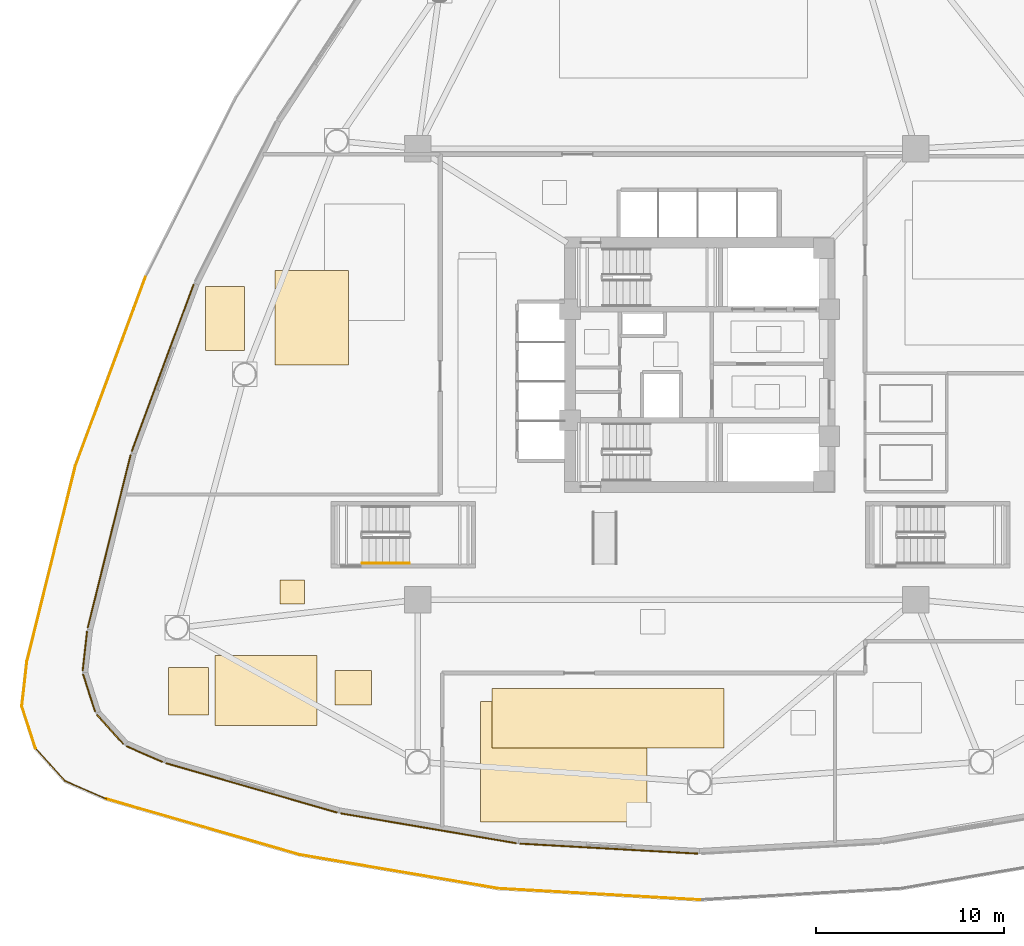
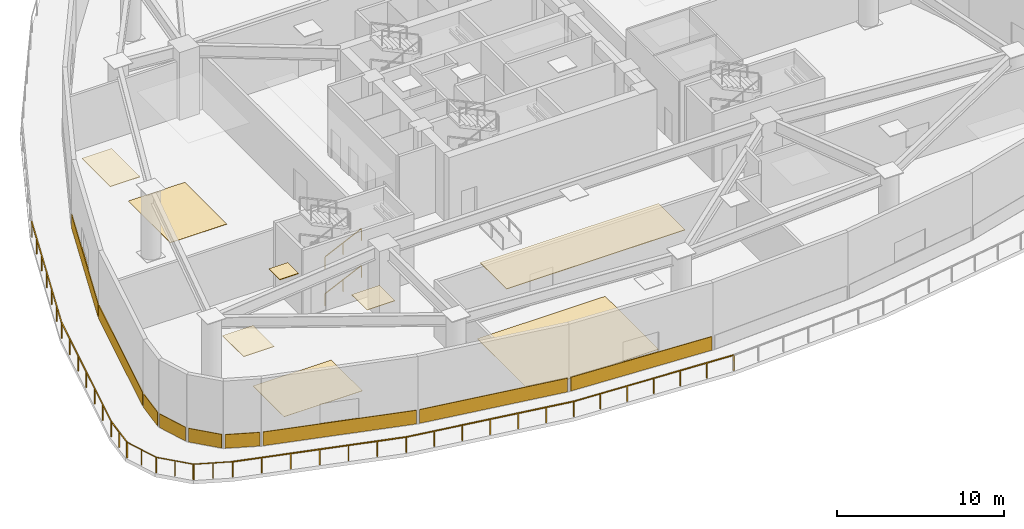
# One storey, part 7 of 13: 17 coverings, 11 railings.
"""IFC4 building model written with IfcOpenShell, lengths in metres."""

from ifc_helpers import new_model, si_unit, direction, frame, origin, origin_2d, place, context, subcontext, project, spatial, polyline, rectangle, outline, extrude, material, layer, layer_set, type_object, element, save


model = new_model("IFC4")

# Units and contexts
model_context = context("Model", 3, precision=1e-05, world=origin(), true_north=direction((0.0, 1.0)))
body_context = subcontext(model_context, "Body", "Model", "MODEL_VIEW")
ifc_project = project(units=[si_unit("LENGTHUNIT", "METRE"), si_unit("AREAUNIT", "SQUARE_METRE"), si_unit("VOLUMEUNIT", "CUBIC_METRE"), si_unit("PLANEANGLEUNIT", "RADIAN"), si_unit("MASSUNIT", "GRAM", prefix="KILO")], contexts=[model_context])

# Site, building, storey
site_placement = place(None, origin())
site = spatial("IfcSite", under=ifc_project, at=site_placement, CompositionType="ELEMENT")
building_placement = place(site_placement, origin())
building = spatial("IfcBuilding", under=site, at=building_placement, Name="Tavelor Broadcast Tower", CompositionType="ELEMENT")
storey_placement = place(building_placement, frame((0.0, 0.0, 16.800048828125)))
storey = spatial("IfcBuildingStorey", under=building, at=storey_placement, Name="L03", CompositionType="ELEMENT", Elevation=16.800048828125)

# Railings
ifc_material_1 = material(Name="Steel S355", Category="steel")
railing_type_1 = type_object("IfcRailingType", Name="Continuous Brushed Stainless Handrail 900 mm", PredefinedType="HANDRAIL", material=ifc_material_1)
railing_1_placement = place(storey_placement, frame((32.050048828125, 34.449951171875, 0.168701171875)))
element("IfcRailing", 1, at=railing_1_placement, inside=storey, type_object=railing_type_1, Name="L03 ST3 stair handrail 1", PredefinedType="HANDRAIL", context=body_context, shape_type="SweptSolid", body=[
    extrude(rectangle(XDim=0.048095703125, YDim=0.048095703125, at=origin_2d()), frame((0.0, 0.0, 0.8759765625), z_axis=(0.905473684625, 0.0, 0.424402410988), x_axis=(0.0, 1.0, 0.0)), (0.0, 0.0, 1.0), 2.783203125),
    extrude(rectangle(XDim=0.0419921875, YDim=0.0419921875, at=origin_2d()), origin(), (0.0, 0.0, 1.0), 0.851806640625),
    extrude(rectangle(XDim=0.0419921875, YDim=0.0419921875, at=origin_2d()), frame((1.260009765625, 0.0, 0.590576171875)), (0.0, 0.0, 1.0), 0.851806640625),
    extrude(rectangle(XDim=0.0419921875, YDim=0.0419921875, at=origin_2d()), frame((2.52001953125, 0.0, 1.18115234375)), (0.0, 0.0, 1.0), 0.851806640625),
])
railing_2_placement = place(storey_placement, frame((32.050048828125, 34.449951171875, 2.86865234375)))
element("IfcRailing", 2, at=railing_2_placement, inside=storey, type_object=railing_type_1, Name="L03 ST3 stair handrail 3", PredefinedType="HANDRAIL", context=body_context, shape_type="SweptSolid", body=[
    extrude(rectangle(XDim=0.048095703125, YDim=0.048095703125, at=origin_2d()), frame((0.0, 0.0, 0.8759765625), z_axis=(0.905439972488, 0.0, 0.424474329284), x_axis=(0.0, 1.0, 0.0)), (0.0, 0.0, 1.0), 2.783203125),
    extrude(rectangle(XDim=0.0419921875, YDim=0.0419921875, at=origin_2d()), origin(), (0.0, 0.0, 1.0), 0.851806640625),
    extrude(rectangle(XDim=0.0419921875, YDim=0.0419921875, at=origin_2d()), frame((1.260009765625, 0.0, 0.5908203125)), (0.0, 0.0, 1.0), 0.851806640625),
    extrude(rectangle(XDim=0.0419921875, YDim=0.0419921875, at=origin_2d()), frame((2.52001953125, 0.0, 1.181396484375)), (0.0, 0.0, 1.0), 0.851806640625),
])

# Coverings
ifc_material_2 = material(Name="Acoustic Nylon Carpet Tile")
ifc_layer_1 = layer(ifc_material_2, 0.02001953125)
ifc_layer_set_1 = layer_set([ifc_layer_1], Name="Acoustic Nylon Carpet Tile")
covering_type_1 = type_object("IfcCoveringType", Name="Heavy-Duty Acoustic Broadcast Carpet Tile 20 mm", PredefinedType="FLOORING", material=ifc_layer_set_1)
covering_1_placement = place(storey_placement, origin())
element("IfcCovering", 3, at=covering_1_placement, inside=storey, type_object=covering_type_1, Name="L03 Broadcast Floor Finish 0036", PredefinedType="FLOORING", context=body_context, shape_type="SweptSolid", body=[
    extrude(outline(polyline([(38.3447265625, 20.682861328125), (47.204833984375, 20.682861328125), (47.204833984375, 27.08349609375), (38.3447265625, 27.08349609375), (38.3447265625, 20.682861328125)])), origin(), (0.0, 0.0, 1.0), 0.02001953125),
])
covering_2_placement = place(storey_placement, origin())
element("IfcCovering", 4, at=covering_2_placement, inside=storey, type_object=covering_type_1, Name="L03 Broadcast Floor Finish 0037", PredefinedType="FLOORING", context=body_context, shape_type="SweptSolid", body=[
    extrude(outline(polyline([(24.223388671875, 25.80126953125), (29.6484375, 25.80126953125), (29.6484375, 29.529052734375), (24.223388671875, 29.529052734375), (24.223388671875, 25.80126953125)])), origin(), (0.0, 0.0, 1.0), 0.02001953125),
])
covering_3_placement = place(storey_placement, origin())
element("IfcCovering", 5, at=covering_3_placement, inside=storey, type_object=covering_type_1, Name="L03 Broadcast Floor Finish 0040", PredefinedType="FLOORING", context=body_context, shape_type="SweptSolid", body=[
    extrude(outline(polyline([(27.416259765625, 44.974609375), (31.330810546875, 44.974609375), (31.330810546875, 50.01611328125), (27.416259765625, 50.01611328125), (27.416259765625, 44.974609375)])), origin(), (0.0, 0.0, 1.0), 0.02001953125),
])

# Railings
railing_type_2 = type_object("IfcRailingType", Name="Planted Terrace Laminated Glass Balustrade 1150 mm", PredefinedType="BALUSTRADE", material=ifc_material_1)
railing_3_placement = place(storey_placement, frame((20.522216796875, 49.664306640625, 0.0)))
element("IfcRailing", 6, at=railing_3_placement, inside=storey, type_object=railing_type_2, Name="L03 Cascading Garden Terrace 1 Balustrade #72", PredefinedType="BALUSTRADE", context=body_context, shape_type="SweptSolid", body=[
    extrude(rectangle(XDim=0.048095703125, YDim=0.048095703125, at=origin_2d()), frame((0.0, 0.0, 1.1259765625), z_axis=(-0.34779585795, -0.937570286002, 0.0), x_axis=(0.937570286002, -0.34779585795, 0.0)), (0.0, 0.0, 1.0), 10.733154296875),
    extrude(rectangle(XDim=0.0419921875, YDim=0.0419921875, at=origin_2d()), origin(), (0.0, 0.0, 1.0), 1.101806640625),
    extrude(rectangle(XDim=0.0419921875, YDim=0.0419921875, at=origin_2d()), frame((-0.6220703125, -1.67724609375, 0.0)), (0.0, 0.0, 1.0), 1.101806640625),
    extrude(rectangle(XDim=0.0419921875, YDim=0.0419921875, at=origin_2d()), frame((-1.244384765625, -3.354248046875, 0.0)), (0.0, 0.0, 1.0), 1.101806640625),
    extrude(rectangle(XDim=0.0419921875, YDim=0.0419921875, at=origin_2d()), frame((-1.866455078125, -5.031494140625, 0.0)), (0.0, 0.0, 1.0), 1.101806640625),
    extrude(rectangle(XDim=0.0419921875, YDim=0.0419921875, at=origin_2d()), frame((-2.488525390625, -6.708740234375, 0.0)), (0.0, 0.0, 1.0), 1.101806640625),
    extrude(rectangle(XDim=0.0419921875, YDim=0.0419921875, at=origin_2d()), frame((-3.11083984375, -8.3857421875, 0.0)), (0.0, 0.0, 1.0), 1.101806640625),
    extrude(rectangle(XDim=0.0419921875, YDim=0.0419921875, at=origin_2d()), frame((-3.73291015625, -10.06298828125, 0.0)), (0.0, 0.0, 1.0), 1.101806640625),
])
railing_4_placement = place(storey_placement, frame((16.792724609375, 39.61181640625, 0.0)))
element("IfcRailing", 7, at=railing_4_placement, inside=storey, type_object=railing_type_2, Name="L03 Cascading Garden Terrace 1 Balustrade #73", PredefinedType="BALUSTRADE", context=body_context, shape_type="SweptSolid", body=[
    extrude(rectangle(XDim=0.048095703125, YDim=0.048095703125, at=origin_2d()), frame((0.0, 0.0, 1.1259765625), z_axis=(-0.240570869006, -0.970631576339, 0.0), x_axis=(0.970631576339, -0.240570869006, 0.0)), (0.0, 0.0, 1.0), 10.73291015625),
    extrude(rectangle(XDim=0.0419921875, YDim=0.0419921875, at=origin_2d()), origin(), (0.0, 0.0, 1.0), 1.101806640625),
    extrude(rectangle(XDim=0.0419921875, YDim=0.0419921875, at=origin_2d()), frame((-0.430419921875, -1.736328125, 0.0)), (0.0, 0.0, 1.0), 1.101806640625),
    extrude(rectangle(XDim=0.0419921875, YDim=0.0419921875, at=origin_2d()), frame((-0.860595703125, -3.47265625, 0.0)), (0.0, 0.0, 1.0), 1.101806640625),
    extrude(rectangle(XDim=0.0419921875, YDim=0.0419921875, at=origin_2d()), frame((-1.291015625, -5.208984375, 0.0)), (0.0, 0.0, 1.0), 1.101806640625),
    extrude(rectangle(XDim=0.0419921875, YDim=0.0419921875, at=origin_2d()), frame((-1.721435546875, -6.945068359375, 0.0)), (0.0, 0.0, 1.0), 1.101806640625),
    extrude(rectangle(XDim=0.0419921875, YDim=0.0419921875, at=origin_2d()), frame((-2.151611328125, -8.681396484375, 0.0)), (0.0, 0.0, 1.0), 1.101806640625),
    extrude(rectangle(XDim=0.0419921875, YDim=0.0419921875, at=origin_2d()), frame((-2.58203125, -10.417724609375, 0.0)), (0.0, 0.0, 1.0), 1.101806640625),
])
railing_5_placement = place(storey_placement, frame((14.212890625, 29.206787109375, 0.0)))
element("IfcRailing", 8, at=railing_5_placement, inside=storey, type_object=railing_type_2, Name="L03 Cascading Garden Terrace 1 Balustrade #74", PredefinedType="BALUSTRADE", context=body_context, shape_type="SweptSolid", body=[
    extrude(rectangle(XDim=0.048095703125, YDim=0.048095703125, at=origin_2d()), frame((0.0, 0.0, 1.1259765625), z_axis=(-0.112240675783, -0.99368105079, 0.0), x_axis=(0.99368105079, -0.112240675783, 0.0)), (0.0, 0.0, 1.0), 2.399169921875),
    extrude(rectangle(XDim=0.0419921875, YDim=0.0419921875, at=origin_2d()), origin(), (0.0, 0.0, 1.0), 1.101806640625),
    extrude(rectangle(XDim=0.0419921875, YDim=0.0419921875, at=origin_2d()), frame((-0.134765625, -1.19189453125, 0.0)), (0.0, 0.0, 1.0), 1.101806640625),
    extrude(rectangle(XDim=0.0419921875, YDim=0.0419921875, at=origin_2d()), frame((-0.269287109375, -2.384033203125, 0.0)), (0.0, 0.0, 1.0), 1.101806640625),
])
railing_6_placement = place(storey_placement, frame((13.939208984375, 26.864501953125, 0.0)))
element("IfcRailing", 9, at=railing_6_placement, inside=storey, type_object=railing_type_2, Name="L03 Cascading Garden Terrace 1 Balustrade #75", PredefinedType="BALUSTRADE", context=body_context, shape_type="SweptSolid", body=[
    extrude(rectangle(XDim=0.048095703125, YDim=0.048095703125, at=origin_2d()), frame((0.0, 0.0, 1.1259765625), z_axis=(0.306595433969, -0.951839923448, 0.0), x_axis=(0.951839923448, 0.306595433969, 0.0)), (0.0, 0.0, 1.0), 2.399169921875),
    extrude(rectangle(XDim=0.0419921875, YDim=0.0419921875, at=origin_2d()), origin(), (0.0, 0.0, 1.0), 1.101806640625),
    extrude(rectangle(XDim=0.0419921875, YDim=0.0419921875, at=origin_2d()), frame((0.36767578125, -1.141845703125, 0.0)), (0.0, 0.0, 1.0), 1.101806640625),
    extrude(rectangle(XDim=0.0419921875, YDim=0.0419921875, at=origin_2d()), frame((0.735595703125, -2.28369140625, 0.0)), (0.0, 0.0, 1.0), 1.101806640625),
])
railing_7_placement = place(storey_placement, frame((14.65380859375, 24.6171875, 0.0)))
element("IfcRailing", 10, at=railing_7_placement, inside=storey, type_object=railing_type_2, Name="L03 Cascading Garden Terrace 1 Balustrade #76", PredefinedType="BALUSTRADE", context=body_context, shape_type="SweptSolid", body=[
    extrude(rectangle(XDim=0.048095703125, YDim=0.048095703125, at=origin_2d()), frame((0.0, 0.0, 1.1259765625), z_axis=(0.671025213282, -0.741434530582, 0.0), x_axis=(0.741434530582, 0.671025213282, 0.0)), (0.0, 0.0, 1.0), 2.3994140625),
    extrude(rectangle(XDim=0.0419921875, YDim=0.0419921875, at=origin_2d()), origin(), (0.0, 0.0, 1.0), 1.101806640625),
    extrude(rectangle(XDim=0.0419921875, YDim=0.0419921875, at=origin_2d()), frame((0.80517578125, -0.8896484375, 0.0)), (0.0, 0.0, 1.0), 1.101806640625),
    extrude(rectangle(XDim=0.0419921875, YDim=0.0419921875, at=origin_2d()), frame((1.610107421875, -1.779052734375, 0.0)), (0.0, 0.0, 1.0), 1.101806640625),
])
railing_8_placement = place(storey_placement, frame((16.229736328125, 22.86279296875, 0.0)))
element("IfcRailing", 11, at=railing_8_placement, inside=storey, type_object=railing_type_2, Name="L03 Cascading Garden Terrace 1 Balustrade #77", PredefinedType="BALUSTRADE", context=body_context, shape_type="SweptSolid", body=[
    extrude(rectangle(XDim=0.048095703125, YDim=0.048095703125, at=origin_2d()), frame((0.0, 0.0, 1.1259765625), z_axis=(0.91673323432, -0.399499908751, 0.0), x_axis=(0.399499908751, 0.91673323432, 0.0)), (0.0, 0.0, 1.0), 2.399169921875),
    extrude(rectangle(XDim=0.0419921875, YDim=0.0419921875, at=origin_2d()), origin(), (0.0, 0.0, 1.0), 1.101806640625),
    extrude(rectangle(XDim=0.0419921875, YDim=0.0419921875, at=origin_2d()), frame((1.099609375, -0.479248046875, 0.0)), (0.0, 0.0, 1.0), 1.101806640625),
    extrude(rectangle(XDim=0.0419921875, YDim=0.0419921875, at=origin_2d()), frame((2.199462890625, -0.95849609375, 0.0)), (0.0, 0.0, 1.0), 1.101806640625),
])
railing_9_placement = place(storey_placement, frame((18.4169921875, 21.90869140625, 0.0)))
element("IfcRailing", 12, at=railing_9_placement, inside=storey, type_object=railing_type_2, Name="L03 Cascading Garden Terrace 1 Balustrade #78", PredefinedType="BALUSTRADE", context=body_context, shape_type="SweptSolid", body=[
    extrude(rectangle(XDim=0.048095703125, YDim=0.048095703125, at=origin_2d()), frame((0.0, 0.0, 1.1259765625), z_axis=(0.960874946218, -0.276982558533, 0.0), x_axis=(0.276982558533, 0.960874946218, 0.0)), (0.0, 0.0, 1.0), 10.733154296875),
    extrude(rectangle(XDim=0.0419921875, YDim=0.0419921875, at=origin_2d()), origin(), (0.0, 0.0, 1.0), 1.101806640625),
    extrude(rectangle(XDim=0.0419921875, YDim=0.0419921875, at=origin_2d()), frame((1.71875, -0.49560546875, 0.0)), (0.0, 0.0, 1.0), 1.101806640625),
    extrude(rectangle(XDim=0.0419921875, YDim=0.0419921875, at=origin_2d()), frame((3.437744140625, -0.990966796875, 0.0)), (0.0, 0.0, 1.0), 1.101806640625),
    extrude(rectangle(XDim=0.0419921875, YDim=0.0419921875, at=origin_2d()), frame((5.15673828125, -1.486328125, 0.0)), (0.0, 0.0, 1.0), 1.101806640625),
    extrude(rectangle(XDim=0.0419921875, YDim=0.0419921875, at=origin_2d()), frame((6.87548828125, -1.98193359375, 0.0)), (0.0, 0.0, 1.0), 1.101806640625),
    extrude(rectangle(XDim=0.0419921875, YDim=0.0419921875, at=origin_2d()), frame((8.59423828125, -2.4775390625, 0.0)), (0.0, 0.0, 1.0), 1.101806640625),
    extrude(rectangle(XDim=0.0419921875, YDim=0.0419921875, at=origin_2d()), frame((10.313232421875, -2.972900390625, 0.0)), (0.0, 0.0, 1.0), 1.101806640625),
])
railing_10_placement = place(storey_placement, frame((28.71923828125, 18.938232421875, 0.0)))
element("IfcRailing", 13, at=railing_10_placement, inside=storey, type_object=railing_type_2, Name="L03 Cascading Garden Terrace 1 Balustrade #79", PredefinedType="BALUSTRADE", context=body_context, shape_type="SweptSolid", body=[
    extrude(rectangle(XDim=0.048095703125, YDim=0.048095703125, at=origin_2d()), frame((0.0, 0.0, 1.1259765625), z_axis=(0.985855733921, -0.167596157161, 0.0), x_axis=(0.167596157161, 0.985855733921, 0.0)), (0.0, 0.0, 1.0), 10.733154296875),
    extrude(rectangle(XDim=0.0419921875, YDim=0.0419921875, at=origin_2d()), origin(), (0.0, 0.0, 1.0), 1.101806640625),
    extrude(rectangle(XDim=0.0419921875, YDim=0.0419921875, at=origin_2d()), frame((1.763671875, -0.2998046875, 0.0)), (0.0, 0.0, 1.0), 1.101806640625),
    extrude(rectangle(XDim=0.0419921875, YDim=0.0419921875, at=origin_2d()), frame((3.527099609375, -0.599609375, 0.0)), (0.0, 0.0, 1.0), 1.101806640625),
    extrude(rectangle(XDim=0.0419921875, YDim=0.0419921875, at=origin_2d()), frame((5.29052734375, -0.8994140625, 0.0)), (0.0, 0.0, 1.0), 1.101806640625),
    extrude(rectangle(XDim=0.0419921875, YDim=0.0419921875, at=origin_2d()), frame((7.05419921875, -1.19921875, 0.0)), (0.0, 0.0, 1.0), 1.101806640625),
    extrude(rectangle(XDim=0.0419921875, YDim=0.0419921875, at=origin_2d()), frame((8.81787109375, -1.4990234375, 0.0)), (0.0, 0.0, 1.0), 1.101806640625),
    extrude(rectangle(XDim=0.0419921875, YDim=0.0419921875, at=origin_2d()), frame((10.581298828125, -1.798828125, 0.0)), (0.0, 0.0, 1.0), 1.101806640625),
])
railing_11_placement = place(storey_placement, frame((39.289306640625, 17.140625, 0.0)))
element("IfcRailing", 14, at=railing_11_placement, inside=storey, type_object=railing_type_2, Name="L03 Cascading Garden Terrace 1 Balustrade #80", PredefinedType="BALUSTRADE", context=body_context, shape_type="SweptSolid", body=[
    extrude(rectangle(XDim=0.048095703125, YDim=0.048095703125, at=origin_2d()), frame((0.0, 0.0, 1.1259765625), z_axis=(0.998424310756, -0.056115021976, 0.0), x_axis=(0.056115021976, 0.998424310756, 0.0)), (0.0, 0.0, 1.0), 10.733154296875),
    extrude(rectangle(XDim=0.0419921875, YDim=0.0419921875, at=origin_2d()), origin(), (0.0, 0.0, 1.0), 1.101806640625),
    extrude(rectangle(XDim=0.0419921875, YDim=0.0419921875, at=origin_2d()), frame((1.7861328125, -0.100341796875, 0.0)), (0.0, 0.0, 1.0), 1.101806640625),
    extrude(rectangle(XDim=0.0419921875, YDim=0.0419921875, at=origin_2d()), frame((3.572021484375, -0.20068359375, 0.0)), (0.0, 0.0, 1.0), 1.101806640625),
    extrude(rectangle(XDim=0.0419921875, YDim=0.0419921875, at=origin_2d()), frame((5.358154296875, -0.30126953125, 0.0)), (0.0, 0.0, 1.0), 1.101806640625),
    extrude(rectangle(XDim=0.0419921875, YDim=0.0419921875, at=origin_2d()), frame((7.144287109375, -0.401611328125, 0.0)), (0.0, 0.0, 1.0), 1.101806640625),
    extrude(rectangle(XDim=0.0419921875, YDim=0.0419921875, at=origin_2d()), frame((8.93017578125, -0.501953125, 0.0)), (0.0, 0.0, 1.0), 1.101806640625),
    extrude(rectangle(XDim=0.0419921875, YDim=0.0419921875, at=origin_2d()), frame((10.71630859375, -0.602294921875, 0.0)), (0.0, 0.0, 1.0), 1.101806640625),
])

# Coverings
ifc_material_3 = material(Name="Kiln-Fired Glazed Terracotta", Category="masonry")
ifc_layer_2 = layer(ifc_material_3, 0.06494140625)
ifc_layer_set_2 = layer_set([ifc_layer_2], Name="Kiln-Fired Glazed Terracotta")
covering_type_2 = type_object("IfcCoveringType", Name="Ribbed Terracotta Rainscreen Spandrel Cladding 65 mm", PredefinedType="CLADDING", material=ifc_layer_set_2)
for number, where, z_axis, x_axis, name in (
    (15, (21.433837890625, 44.836181640625, 0.050048828125), (0.0, 0.0, 1.0), (-0.347753981862, -0.937585819058, 0.0), "L03 Terracotta Spandrel Rainscreen 09"),
    (16, (18.58837890625, 35.607421875, 0.050048828125), (0.0, 0.0, 1.0), (-0.240566871809, -0.970632567035, 0.0), "L03 Terracotta Spandrel Rainscreen 10"),
):
    element("IfcCovering", number, at=place(storey_placement, frame(where, z_axis=z_axis, x_axis=x_axis)), inside=storey, type_object=covering_type_2, Name=name, PredefinedType="CLADDING", context=body_context, shape_type="SweptSolid", body=[
        extrude(rectangle(XDim=9.472412109375, YDim=0.06494140625, at=origin_2d()), origin(), (0.0, 0.0, 1.0), 1.0),
    ])
covering_4_placement = place(storey_placement, frame((17.296142578125, 29.7734375, 0.050048828125), z_axis=(0.0, 0.0, 1.0), x_axis=(-0.112336115762, -0.99367026578, 0.0)))
element("IfcCovering", 17, at=covering_4_placement, inside=storey, type_object=covering_type_2, Name="L03 Terracotta Spandrel Rainscreen 11", PredefinedType="CLADDING", context=body_context, shape_type="SweptSolid", body=[
    extrude(rectangle(XDim=2.093994140625, YDim=0.06494140625, at=origin_2d()), origin(), (0.0, 0.0, 1.0), 1.0),
])
covering_5_placement = place(storey_placement, frame((17.518798828125, 27.5419921875, 0.050048828125), z_axis=(0.0, 0.0, 1.0), x_axis=(0.306526078098, -0.951862260753, 0.0)))
element("IfcCovering", 18, at=covering_5_placement, inside=storey, type_object=covering_type_2, Name="L03 Terracotta Spandrel Rainscreen 12", PredefinedType="CLADDING", context=body_context, shape_type="SweptSolid", body=[
    extrude(rectangle(XDim=2.09423828125, YDim=0.06494140625, at=origin_2d()), origin(), (0.0, 0.0, 1.0), 1.0),
])
covering_6_placement = place(storey_placement, frame((18.640380859375, 25.599609375, 0.050048828125), z_axis=(0.0, 0.0, 1.0), x_axis=(0.671073859667, -0.741390500932, 0.0)))
element("IfcCovering", 19, at=covering_6_placement, inside=storey, type_object=covering_type_2, Name="L03 Terracotta Spandrel Rainscreen 13", PredefinedType="CLADDING", context=body_context, shape_type="SweptSolid", body=[
    extrude(rectangle(XDim=2.093994140625, YDim=0.06494140625, at=origin_2d()), origin(), (0.0, 0.0, 1.0), 1.0),
])
covering_7_placement = place(storey_placement, frame((20.461669921875, 24.290771484375, 0.050048828125), z_axis=(0.0, 0.0, 1.0), x_axis=(0.916711751032, -0.399549202878, 0.0)))
element("IfcCovering", 20, at=covering_7_placement, inside=storey, type_object=covering_type_2, Name="L03 Terracotta Spandrel Rainscreen 14", PredefinedType="CLADDING", context=body_context, shape_type="SweptSolid", body=[
    extrude(rectangle(XDim=2.09423828125, YDim=0.06494140625, at=origin_2d()), origin(), (0.0, 0.0, 1.0), 1.0),
])
for number, where, z_axis, x_axis, name in (
    (21, (26.16015625, 22.492919921875, 0.050048828125), (0.0, 0.0, 1.0), (0.960875896697, -0.276979261222, 0.0), "L03 Terracotta Spandrel Rainscreen 15"),
    (22, (35.574951171875, 20.343017578125, 0.050048828125), (0.0, 0.0, 1.0), (0.985850128464, -0.167629126969, 0.0), "L03 Terracotta Spandrel Rainscreen 16"),
    (23, (45.17138671875, 19.260986328125, 0.050048828125), (0.0, 0.0, 1.0), (0.998421217973, -0.05617002316, 0.0), "L03 Terracotta Spandrel Rainscreen 17"),
):
    element("IfcCovering", number, at=place(storey_placement, frame(where, z_axis=z_axis, x_axis=x_axis)), inside=storey, type_object=covering_type_2, Name=name, PredefinedType="CLADDING", context=body_context, shape_type="SweptSolid", body=[
        extrude(rectangle(XDim=9.472412109375, YDim=0.06494140625, at=origin_2d()), origin(), (0.0, 0.0, 1.0), 1.0),
    ])
ifc_material_4 = material(Name="Acoustic Mineral Fibre Tile")
ifc_layer_3 = layer(ifc_material_4, 0.0400390625)
ifc_layer_set_3 = layer_set([ifc_layer_3], Name="Acoustic Mineral Fibre Tile")
covering_type_3 = type_object("IfcCoveringType", Name="Suspended Acoustic Mineral-Fibre Office Ceiling 40 mm", PredefinedType="CEILING", material=ifc_layer_set_3)
covering_8_placement = place(storey_placement, frame((0.0, 0.0, 4.909912109375)))
element("IfcCovering", 24, at=covering_8_placement, inside=storey, type_object=covering_type_3, Name="L03 Suspended Acoustic Ceiling 0086", PredefinedType="CEILING", context=body_context, shape_type="SweptSolid", body=[
    extrude(outline(polyline([(38.945556640625, 24.618408203125), (51.30712890625, 24.618408203125), (51.30712890625, 27.791015625), (38.945556640625, 27.791015625), (38.945556640625, 24.618408203125)])), origin(), (0.0, 0.0, 1.0), 0.0400390625),
])
covering_9_placement = place(storey_placement, frame((0.0, 0.0, 4.909912109375)))
element("IfcCovering", 25, at=covering_9_placement, inside=storey, type_object=covering_type_3, Name="L03 Suspended Acoustic Ceiling 0088", PredefinedType="CEILING", context=body_context, shape_type="SweptSolid", body=[
    extrude(outline(polyline([(21.75146484375, 26.377197265625), (23.879638671875, 26.377197265625), (23.879638671875, 28.904052734375), (21.75146484375, 28.904052734375), (21.75146484375, 26.377197265625)])), origin(), (0.0, 0.0, 1.0), 0.0400390625),
])
covering_10_placement = place(storey_placement, frame((0.0, 0.0, 4.909912109375)))
element("IfcCovering", 26, at=covering_10_placement, inside=storey, type_object=covering_type_3, Name="L03 Suspended Acoustic Ceiling 0089", PredefinedType="CEILING", context=body_context, shape_type="SweptSolid", body=[
    extrude(outline(polyline([(27.668701171875, 32.260986328125), (28.968505859375, 32.260986328125), (28.968505859375, 33.560791015625), (27.668701171875, 33.560791015625), (27.668701171875, 32.260986328125)])), origin(), (0.0, 0.0, 1.0), 0.0400390625),
])
covering_11_placement = place(storey_placement, frame((0.0, 0.0, 4.909912109375)))
element("IfcCovering", 27, at=covering_11_placement, inside=storey, type_object=covering_type_3, Name="L03 Suspended Acoustic Ceiling 0090", PredefinedType="CEILING", context=body_context, shape_type="SweptSolid", body=[
    extrude(outline(polyline([(30.60009765625, 26.89892578125), (32.538818359375, 26.89892578125), (32.538818359375, 28.746337890625), (30.60009765625, 28.746337890625), (30.60009765625, 26.89892578125)])), origin(), (0.0, 0.0, 1.0), 0.0400390625),
])
covering_12_placement = place(storey_placement, frame((0.0, 0.0, 4.909912109375)))
element("IfcCovering", 28, at=covering_12_placement, inside=storey, type_object=covering_type_3, Name="L03 Suspended Acoustic Ceiling 0096", PredefinedType="CEILING", context=body_context, shape_type="SweptSolid", body=[
    extrude(outline(polyline([(23.719482421875, 45.770263671875), (25.78271484375, 45.770263671875), (25.78271484375, 49.1728515625), (23.719482421875, 49.1728515625), (23.719482421875, 45.770263671875)])), origin(), (0.0, 0.0, 1.0), 0.0400390625),
])

save(model, "model.ifc")
